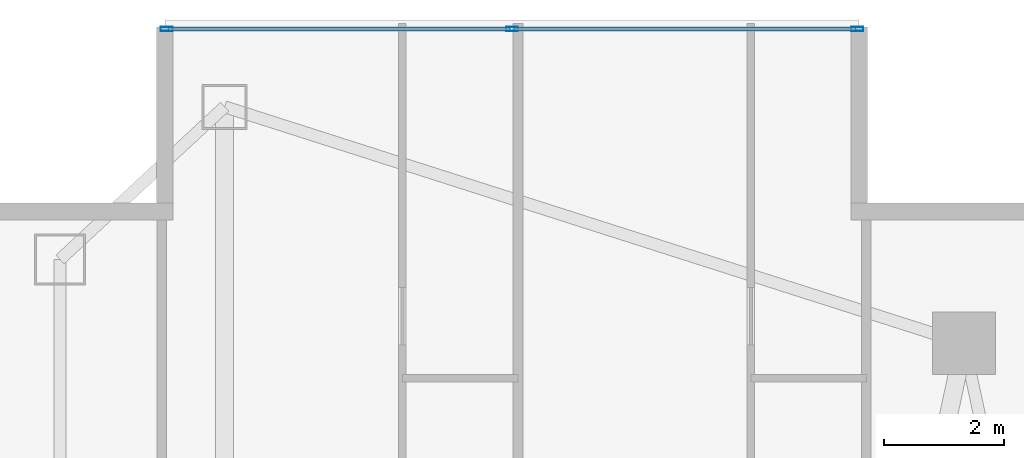
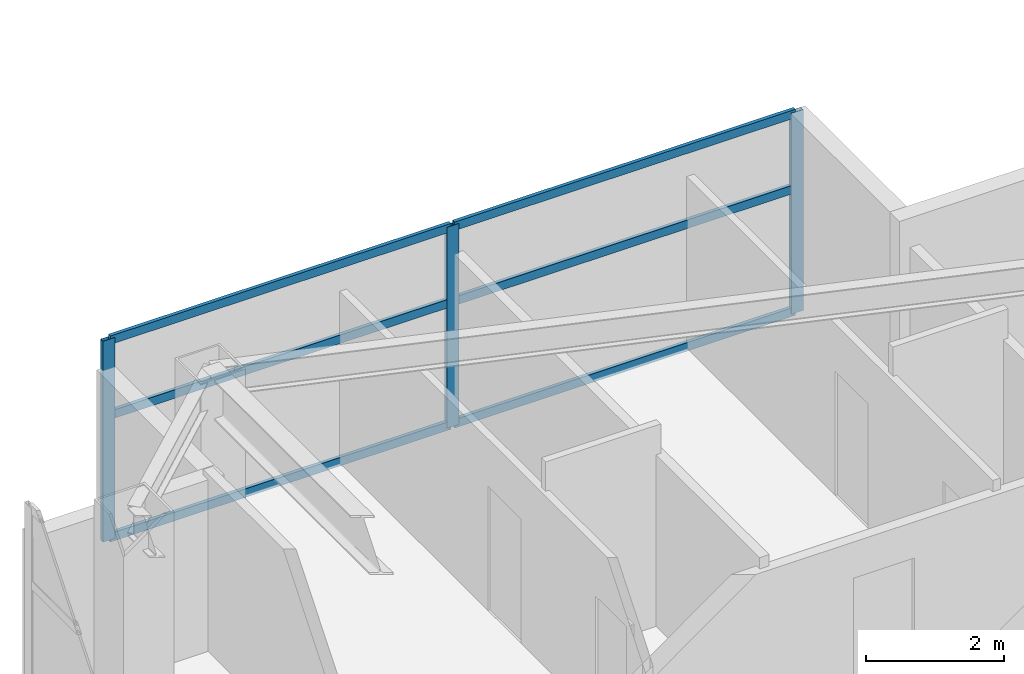
# One storey, part 19 of 28: 9 members, 1 element without a shape of its own.
"""IFC4 building model written with IfcOpenShell, lengths in metres."""

from ifc_helpers import new_model, si_unit, direction, frame, origin, origin_2d, place, context, subcontext, project, spatial, hollow_rectangle, extrude, material, layer, layer_set, material_profile, profile_set, type_object, element, aggregate, save


model = new_model("IFC4")

# Units and contexts
model_context = context("Model", 3, precision=1e-05, world=origin(), true_north=direction((0.0, 1.0)))
body_context = subcontext(model_context, "Body", "Model", "MODEL_VIEW")
ifc_project = project(units=[si_unit("LENGTHUNIT", "METRE"), si_unit("AREAUNIT", "SQUARE_METRE"), si_unit("VOLUMEUNIT", "CUBIC_METRE"), si_unit("PLANEANGLEUNIT", "RADIAN"), si_unit("MASSUNIT", "GRAM", prefix="KILO")], contexts=[model_context])

# Site, building, storey
site_placement = place(None, origin())
site = spatial("IfcSite", under=ifc_project, at=site_placement, CompositionType="ELEMENT")
building_placement = place(site_placement, origin())
building = spatial("IfcBuilding", under=site, at=building_placement, Name="Calvorn Quay Hotel", CompositionType="ELEMENT")
storey_placement = place(building_placement, frame((0.0, 0.0, 112.60009765625)))
storey = spatial("IfcBuildingStorey", under=building, at=storey_placement, Name="L27", CompositionType="ELEMENT", Elevation=112.60009765625)

# Curtain wall, members
ifc_material_1 = material(Name="Pale Anodised Aluminium and Low-E Glass", Category="aluminium")
ifc_layer = layer(ifc_material_1, 0.219970703125)
ifc_layer_set = layer_set([ifc_layer], Name="CW-SYS-Z2")
curtain_wall_type = type_object("IfcCurtainWallType", Name="CW-SYS-Z2", PredefinedType="NOTDEFINED", material=ifc_layer_set)
curtain_wall_placement = place(storey_placement, origin())
curtain_wall = element("IfcCurtainWall", 1, at=curtain_wall_placement, inside=storey, type_object=curtain_wall_type, Name="Inner Court Curtain Wall L27-N1", PredefinedType="NOTDEFINED")
ifc_material_2 = material(Name="Pale Anodised Aluminium 6063-T6", Category="aluminium")
ifc_material_profile_1 = material_profile(ifc_material_2, hollow_rectangle(XDim=0.070068359375, YDim=0.199951171875, WallThickness=0.00390625, at=origin_2d()), Name="ALU-M200x70x4")
ifc_profile_set_1 = profile_set([ifc_material_profile_1], Name="Pale Anodised Aluminium 6063-T6")
member_type_1 = type_object("IfcMemberType", Name="CW-SYS-Z2-MUL", PredefinedType="MULLION", material=ifc_profile_set_1)
member_1_placement = place(storey_placement, frame((14.77001953125, 50.85009765625, 0.0), z_axis=(0.0, 0.0, 1.0), x_axis=(0.0, -1.0, 0.0)))
member_1 = element("IfcMember", 2, at=member_1_placement, type_object=member_type_1, Name="CW-L27-N1 mullion 1", PredefinedType="MULLION", context=body_context, shape_type="SweptSolid", body=[
    extrude(hollow_rectangle(XDim=0.070068359375, YDim=0.199951171875, WallThickness=0.00390625, at=origin_2d()), origin(), (0.0, 0.0, 1.0), 3.559814453125),
])
member_2_placement = place(storey_placement, frame((9.0, 50.85009765625, 0.0), z_axis=(0.0, 0.0, 1.0), x_axis=(0.0, -1.0, 0.0)))
member_2 = element("IfcMember", 3, at=member_2_placement, type_object=member_type_1, Name="CW-L27-N1 mullion 2", PredefinedType="MULLION", context=body_context, shape_type="SweptSolid", body=[
    extrude(hollow_rectangle(XDim=0.070068359375, YDim=0.199951171875, WallThickness=0.00390625, at=origin_2d()), origin(), (0.0, 0.0, 1.0), 3.559814453125),
])
member_3_placement = place(storey_placement, frame((3.22998046875, 50.85009765625, 0.0), z_axis=(0.0, 0.0, 1.0), x_axis=(0.0, -1.0, 0.0)))
member_3 = element("IfcMember", 4, at=member_3_placement, type_object=member_type_1, Name="CW-L27-N1 mullion 3", PredefinedType="MULLION", context=body_context, shape_type="SweptSolid", body=[
    extrude(hollow_rectangle(XDim=0.070068359375, YDim=0.199951171875, WallThickness=0.00390625, at=origin_2d()), origin(), (0.0, 0.0, 1.0), 3.559814453125),
])
ifc_material_3 = material(Name="Pale Anodised Aluminium 6063-T6", Category="aluminium")
ifc_material_profile_2 = material_profile(ifc_material_3, hollow_rectangle(XDim=0.06005859375, YDim=0.14990234375, WallThickness=0.00341796875, at=origin_2d()), Name="ALU-T150x60x3.5")
ifc_profile_set_2 = profile_set([ifc_material_profile_2], Name="Pale Anodised Aluminium 6063-T6")
member_type_2 = type_object("IfcMemberType", Name="CW-SYS-Z2-TRN", PredefinedType="USERDEFINED", material=ifc_profile_set_2)
member_4_placement = place(storey_placement, frame((14.739990234375, 50.85009765625, 0.02978515625), z_axis=(-1.0, 0.0, 0.0), x_axis=(0.0, -1.0, 0.0)))
member_4 = element("IfcMember", 5, at=member_4_placement, type_object=member_type_2, Name="CW-L27-N1 transom 1.1", ObjectType="TRANSOM", PredefinedType="USERDEFINED", context=body_context, shape_type="SweptSolid", body=[
    extrude(hollow_rectangle(XDim=0.06005859375, YDim=0.14990234375, WallThickness=0.00341796875, at=origin_2d()), origin(), (0.0, 0.0, 1.0), 5.7099609375),
])
member_5_placement = place(storey_placement, frame((14.739990234375, 50.85009765625, 2.199951171875), z_axis=(-1.0, 0.0, 0.0), x_axis=(0.0, -1.0, 0.0)))
member_5 = element("IfcMember", 6, at=member_5_placement, type_object=member_type_2, Name="CW-L27-N1 transom 1.2", ObjectType="TRANSOM", PredefinedType="USERDEFINED", context=body_context, shape_type="SweptSolid", body=[
    extrude(hollow_rectangle(XDim=0.06005859375, YDim=0.14990234375, WallThickness=0.00341796875, at=origin_2d()), origin(), (0.0, 0.0, 1.0), 5.7099609375),
])
member_6_placement = place(storey_placement, frame((14.739990234375, 50.85009765625, 3.52978515625), z_axis=(-1.0, 0.0, 0.0), x_axis=(0.0, -1.0, 0.0)))
member_6 = element("IfcMember", 7, at=member_6_placement, type_object=member_type_2, Name="CW-L27-N1 transom 1.3", ObjectType="TRANSOM", PredefinedType="USERDEFINED", context=body_context, shape_type="SweptSolid", body=[
    extrude(hollow_rectangle(XDim=0.06005859375, YDim=0.14990234375, WallThickness=0.00341796875, at=origin_2d()), origin(), (0.0, 0.0, 1.0), 5.7099609375),
])
member_7_placement = place(storey_placement, frame((8.969970703125, 50.85009765625, 0.02978515625), z_axis=(-1.0, 0.0, 0.0), x_axis=(0.0, -1.0, 0.0)))
member_7 = element("IfcMember", 8, at=member_7_placement, type_object=member_type_2, Name="CW-L27-N1 transom 2.1", ObjectType="TRANSOM", PredefinedType="USERDEFINED", context=body_context, shape_type="SweptSolid", body=[
    extrude(hollow_rectangle(XDim=0.06005859375, YDim=0.14990234375, WallThickness=0.00341796875, at=origin_2d()), origin(), (0.0, 0.0, 1.0), 5.7099609375),
])
member_8_placement = place(storey_placement, frame((8.969970703125, 50.85009765625, 2.199951171875), z_axis=(-1.0, 0.0, 0.0), x_axis=(0.0, -1.0, 0.0)))
member_8 = element("IfcMember", 9, at=member_8_placement, type_object=member_type_2, Name="CW-L27-N1 transom 2.2", ObjectType="TRANSOM", PredefinedType="USERDEFINED", context=body_context, shape_type="SweptSolid", body=[
    extrude(hollow_rectangle(XDim=0.06005859375, YDim=0.14990234375, WallThickness=0.00341796875, at=origin_2d()), origin(), (0.0, 0.0, 1.0), 5.7099609375),
])
member_9_placement = place(storey_placement, frame((8.969970703125, 50.85009765625, 3.52978515625), z_axis=(-1.0, 0.0, 0.0), x_axis=(0.0, -1.0, 0.0)))
member_9 = element("IfcMember", 10, at=member_9_placement, type_object=member_type_2, Name="CW-L27-N1 transom 2.3", ObjectType="TRANSOM", PredefinedType="USERDEFINED", context=body_context, shape_type="SweptSolid", body=[
    extrude(hollow_rectangle(XDim=0.06005859375, YDim=0.14990234375, WallThickness=0.00341796875, at=origin_2d()), origin(), (0.0, 0.0, 1.0), 5.7099609375),
])
aggregate(curtain_wall, [member_1, member_2, member_3, member_4, member_5, member_6, member_7, member_8, member_9])

save(model, "model.ifc")
